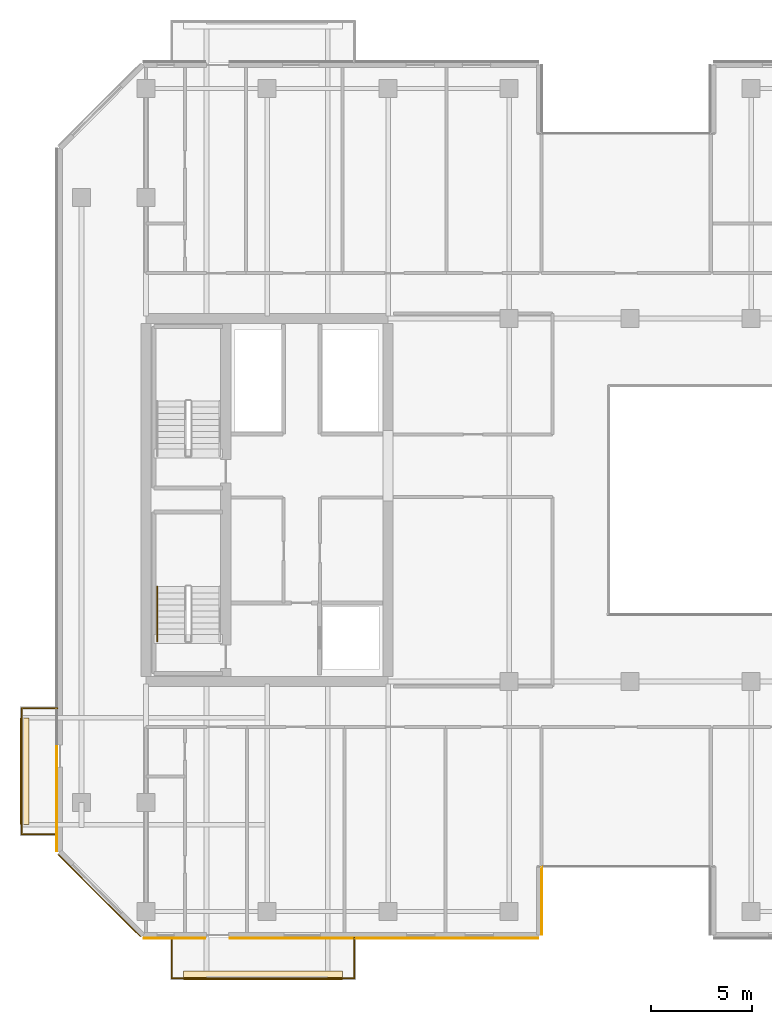
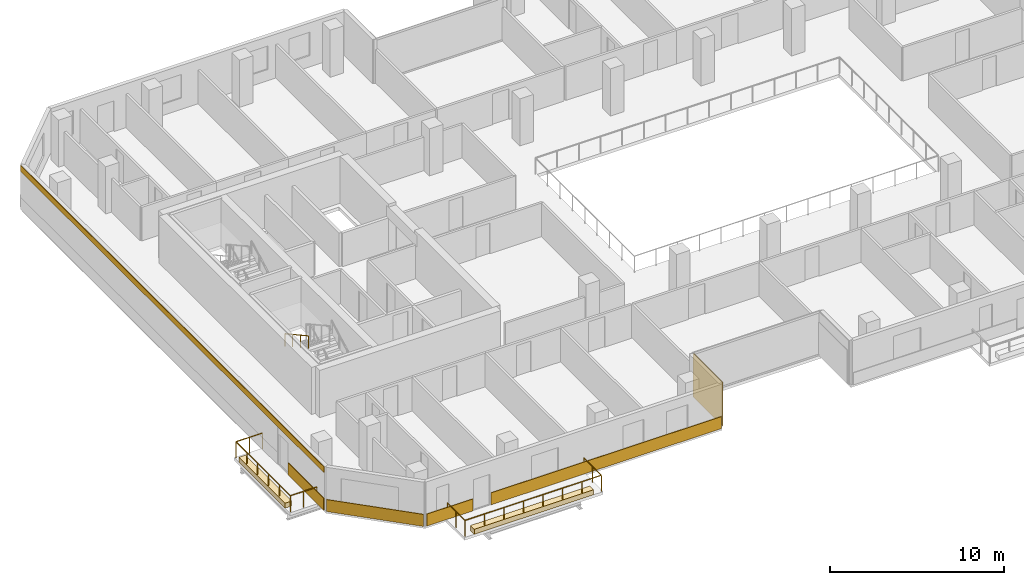
# One storey, part 16 of 19: 8 coverings, 3 railings.
"""IFC4 building model written with IfcOpenShell, lengths in metres."""

from ifc_helpers import new_model, si_unit, direction, frame, origin, origin_2d, place, context, subcontext, project, spatial, polyline, rectangle, outline, extrude, material, layer, layer_set, type_object, element, save


model = new_model("IFC4")

# Units and contexts
model_context = context("Model", 3, precision=1e-05, world=origin(), true_north=direction((0.0, 1.0)))
body_context = subcontext(model_context, "Body", "Model", "MODEL_VIEW")
ifc_project = project(units=[si_unit("LENGTHUNIT", "METRE"), si_unit("AREAUNIT", "SQUARE_METRE"), si_unit("VOLUMEUNIT", "CUBIC_METRE"), si_unit("PLANEANGLEUNIT", "RADIAN"), si_unit("MASSUNIT", "GRAM", prefix="KILO")], contexts=[model_context])

# Site, building, storey
site_placement = place(None, origin())
site = spatial("IfcSite", under=ifc_project, at=site_placement, CompositionType="ELEMENT")
building_placement = place(site_placement, origin())
building = spatial("IfcBuilding", under=site, at=building_placement, Name="Tanjung Sevakor Pilgrim Tower", CompositionType="ELEMENT")
storey_placement = place(building_placement, frame((0.0, 0.0, 132.0)))
storey = spatial("IfcBuildingStorey", under=building, at=storey_placement, Name="L36", CompositionType="ELEMENT", Elevation=132.0)

# Coverings
ifc_material_1 = material(Name="Reconstructed Limestone Cladding", Category="masonry")
ifc_layer_1 = layer(ifc_material_1, 0.044921875)
ifc_layer_set_1 = layer_set([ifc_layer_1], Name="COV-CLAD-LIMESTONE")
covering_type_1 = type_object("IfcCoveringType", Name="COV-CLAD-LIMESTONE", PredefinedType="CLADDING", material=ifc_layer_set_1)
covering_1_placement = place(storey_placement, frame((25.416015625, 11.87744140625, 0.009765625), z_axis=(0.0, 0.0, 1.0), x_axis=(1.0, 0.0, 0.0)))
element("IfcCovering", 1, at=covering_1_placement, inside=storey, type_object=covering_type_1, Name="L36 Warm Limestone Sill Spandrel EW-L36-MAIN-1-1", PredefinedType="CLADDING", context=body_context, shape_type="SweptSolid", body=[
    extrude(rectangle(XDim=3.048095703125, YDim=0.044921875, at=origin_2d()), origin(), (0.0, 0.0, 1.0), 0.840087890625),
])
covering_2_placement = place(storey_placement, frame((35.797607421875, 11.87744140625, 0.009765625), z_axis=(0.0, 0.0, 1.0), x_axis=(1.0, 0.0, 0.0)))
element("IfcCovering", 2, at=covering_2_placement, inside=storey, type_object=covering_type_1, Name="L36 Warm Limestone Sill Spandrel EW-L36-MAIN-1-2", PredefinedType="CLADDING", context=body_context, shape_type="SweptSolid", body=[
    extrude(rectangle(XDim=15.27490234375, YDim=0.044921875, at=origin_2d()), origin(), (0.0, 0.0, 1.0), 0.840087890625),
])
covering_3_placement = place(storey_placement, frame((43.62255859375, 13.72509765625, 0.02001953125), z_axis=(0.0, 0.0, 1.0), x_axis=(0.0, 1.0, 0.0)))
element("IfcCovering", 3, at=covering_3_placement, inside=storey, type_object=covering_type_1, Name="L36 Warm Limestone Wall Cladding EW-L36-MAIN-2", PredefinedType="CLADDING", context=body_context, shape_type="SweptSolid", body=[
    extrude(rectangle(XDim=3.360107421875, YDim=0.044921875, at=origin_2d()), origin(), (0.0, 0.0, 1.0), 3.0400390625),
])
covering_4_placement = place(storey_placement, frame((19.577392578125, 18.240966796875, 0.009765625), z_axis=(0.0, 0.0, 1.0), x_axis=(0.0, -1.0, 0.0)))
element("IfcCovering", 4, at=covering_4_placement, inside=storey, type_object=covering_type_1, Name="L36 Warm Limestone Sill Spandrel EW-L36-MAIN-15-2", PredefinedType="CLADDING", context=body_context, shape_type="SweptSolid", body=[
    extrude(rectangle(XDim=4.09814453125, YDim=0.044921875, at=origin_2d()), origin(), (0.0, 0.0, 1.0), 0.840087890625),
])
covering_5_placement = place(storey_placement, frame((19.577392578125, 33.60009765625, 2.66015625), z_axis=(0.0, 0.0, 1.0), x_axis=(0.0, -1.0, 0.0)))
element("IfcCovering", 5, at=covering_5_placement, inside=storey, type_object=covering_type_1, Name="L36 Warm Limestone Cornice Spandrel EW-L36-MAIN-15", PredefinedType="CLADDING", context=body_context, shape_type="SweptSolid", body=[
    extrude(rectangle(XDim=34.8564453125, YDim=0.044921875, at=origin_2d()), origin(), (0.0, 0.0, 1.0), 0.409912109375),
])
covering_6_placement = place(storey_placement, frame((21.68408203125, 13.984130859375, 0.009765625), z_axis=(0.0, 0.0, 1.0), x_axis=(0.707106781187, -0.707106781187, 0.0)))
element("IfcCovering", 6, at=covering_6_placement, inside=storey, type_object=covering_type_1, Name="L36 Warm Limestone Sill Spandrel EW-CHM-L36-MAIN-15-1", PredefinedType="CLADDING", context=body_context, shape_type="SweptSolid", body=[
    extrude(rectangle(XDim=5.756103515625, YDim=0.044921875, at=origin_2d()), origin(), (0.0, 0.0, 1.0), 0.840087890625),
])
ifc_material_2 = material(Name="Vegetated Modular Planter Assembly", Category="organic")
ifc_layer_2 = layer(ifc_material_2, 0.35009765625)
ifc_layer_set_2 = layer_set([ifc_layer_2], Name="COV-GRN-TROUGH")
covering_type_2 = type_object("IfcCoveringType", Name="COV-GRN-TROUGH", PredefinedType="CLADDING", material=ifc_layer_set_2)
covering_7_placement = place(storey_placement, origin())
element("IfcCovering", 7, at=covering_7_placement, inside=storey, type_object=covering_type_2, Name="L36 Planted Landscape Hedge Trough BGRN-L36-MAIN-S1", PredefinedType="CLADDING", context=body_context, shape_type="SweptSolid", body=[
    extrude(outline(polyline([(25.85009765625, 9.800048828125), (33.75, 9.800048828125), (33.75, 10.239990234375), (25.85009765625, 10.239990234375), (25.85009765625, 9.800048828125)])), origin(), (0.0, 0.0, 1.0), 0.35009765625),
])
covering_8_placement = place(storey_placement, origin())
element("IfcCovering", 8, at=covering_8_placement, inside=storey, type_object=covering_type_2, Name="L36 Planted Landscape Hedge Trough BGRN-L36-MAIN-W1", PredefinedType="CLADDING", context=body_context, shape_type="SweptSolid", body=[
    extrude(outline(polyline([(18.18994140625, 17.5), (18.18994140625, 22.800048828125), (17.75, 22.800048828125), (17.75, 17.5), (18.18994140625, 17.5)])), origin(), (0.0, 0.0, 1.0), 0.35009765625),
])

# Railings
ifc_material_3 = material(Name="Laminated Glass and Aluminium", Category="aluminium")
railing_type_1 = type_object("IfcRailingType", Name="RL-BAL-BALUST", PredefinedType="BALUSTRADE", material=ifc_material_3)
railing_1_placement = place(storey_placement, frame((25.280029296875, 11.89990234375, 0.0)))
element("IfcRailing", 9, at=railing_1_placement, inside=storey, type_object=railing_type_1, Name="L36 Loggia Balustrade MAIN-S1", PredefinedType="BALUSTRADE", context=body_context, shape_type="SweptSolid", body=[
    extrude(rectangle(XDim=0.0479, YDim=0.0479), frame((0.0, 0.0, 1.1259765625), z_axis=(0.0, -1.0, 0.0), x_axis=(1.0, 0.0, 0.0)), (0.0, 0.0, 1.0), 2.02001953125),
    extrude(rectangle(XDim=0.0479, YDim=0.0479), frame((0.0, -2.02001953125, 1.1259765625), z_axis=(1.0, 0.0, 0.0), x_axis=(0.0, 1.0, 0.0)), (0.0, 0.0, 1.0), 9.0400390625),
    extrude(rectangle(XDim=0.0479, YDim=0.0479), frame((9.0400390625, -2.02001953125, 1.1259765625), z_axis=(0.0, 1.0, 0.0), x_axis=(-1.0, 0.0, 0.0)), (0.0, 0.0, 1.0), 2.02001953125),
    extrude(rectangle(XDim=0.042, YDim=0.042), origin(), (0.0, 0.0, 1.0), 1.101806640625),
    extrude(rectangle(XDim=0.042, YDim=0.042), frame((0.0, -1.010009765625, 0.0)), (0.0, 0.0, 1.0), 1.101806640625),
    extrude(rectangle(XDim=0.042, YDim=0.042), frame((0.0, -2.02001953125, 0.0)), (0.0, 0.0, 1.0), 1.101806640625),
    extrude(rectangle(XDim=0.042, YDim=0.042), frame((1.29150390625, -2.02001953125, 0.0)), (0.0, 0.0, 1.0), 1.101806640625),
    extrude(rectangle(XDim=0.042, YDim=0.042), frame((2.582763671875, -2.02001953125, 0.0)), (0.0, 0.0, 1.0), 1.101806640625),
    extrude(rectangle(XDim=0.042, YDim=0.042), frame((3.874267578125, -2.02001953125, 0.0)), (0.0, 0.0, 1.0), 1.101806640625),
    extrude(rectangle(XDim=0.042, YDim=0.042), frame((5.165771484375, -2.02001953125, 0.0)), (0.0, 0.0, 1.0), 1.101806640625),
    extrude(rectangle(XDim=0.042, YDim=0.042), frame((6.457275390625, -2.02001953125, 0.0)), (0.0, 0.0, 1.0), 1.101806640625),
    extrude(rectangle(XDim=0.042, YDim=0.042), frame((7.74853515625, -2.02001953125, 0.0)), (0.0, 0.0, 1.0), 1.101806640625),
    extrude(rectangle(XDim=0.042, YDim=0.042), frame((9.0400390625, -2.02001953125, 0.0)), (0.0, 0.0, 1.0), 1.101806640625),
    extrude(rectangle(XDim=0.042, YDim=0.042), frame((9.0400390625, -1.010009765625, 0.0)), (0.0, 0.0, 1.0), 1.101806640625),
    extrude(rectangle(XDim=0.042, YDim=0.042), frame((9.0400390625, 0.0, 0.0)), (0.0, 0.0, 1.0), 1.101806640625),
])
railing_2_placement = place(storey_placement, frame((19.60009765625, 17.030029296875, 0.0)))
element("IfcRailing", 10, at=railing_2_placement, inside=storey, type_object=railing_type_1, Name="L36 Loggia Balustrade MAIN-W1", PredefinedType="BALUSTRADE", context=body_context, shape_type="SweptSolid", body=[
    extrude(rectangle(XDim=0.0479, YDim=0.0479), frame((0.0, 0.0, 1.1259765625), z_axis=(-1.0, 0.0, 0.0), x_axis=(0.0, -1.0, 0.0)), (0.0, 0.0, 1.0), 1.77001953125),
    extrude(rectangle(XDim=0.0479, YDim=0.0479), frame((-1.77001953125, 0.0, 1.1259765625), z_axis=(0.0, 1.0, 0.0), x_axis=(-1.0, 0.0, 0.0)), (0.0, 0.0, 1.0), 6.239990234375),
    extrude(rectangle(XDim=0.0479, YDim=0.0479), frame((-1.77001953125, 6.239990234375, 1.1259765625), z_axis=(1.0, 0.0, 0.0), x_axis=(0.0, 1.0, 0.0)), (0.0, 0.0, 1.0), 1.77001953125),
    extrude(rectangle(XDim=0.042, YDim=0.042), origin(), (0.0, 0.0, 1.0), 1.101806640625),
    extrude(rectangle(XDim=0.042, YDim=0.042), frame((-0.885009765625, 0.0, 0.0)), (0.0, 0.0, 1.0), 1.101806640625),
    extrude(rectangle(XDim=0.042, YDim=0.042), frame((-1.77001953125, 0.0, 0.0)), (0.0, 0.0, 1.0), 1.101806640625),
    extrude(rectangle(XDim=0.042, YDim=0.042), frame((-1.77001953125, 1.248046875, 0.0)), (0.0, 0.0, 1.0), 1.101806640625),
    extrude(rectangle(XDim=0.042, YDim=0.042), frame((-1.77001953125, 2.49609375, 0.0)), (0.0, 0.0, 1.0), 1.101806640625),
    extrude(rectangle(XDim=0.042, YDim=0.042), frame((-1.77001953125, 3.743896484375, 0.0)), (0.0, 0.0, 1.0), 1.101806640625),
    extrude(rectangle(XDim=0.042, YDim=0.042), frame((-1.77001953125, 4.991943359375, 0.0)), (0.0, 0.0, 1.0), 1.101806640625),
    extrude(rectangle(XDim=0.042, YDim=0.042), frame((-1.77001953125, 6.239990234375, 0.0)), (0.0, 0.0, 1.0), 1.101806640625),
    extrude(rectangle(XDim=0.042, YDim=0.042), frame((-0.885009765625, 6.239990234375, 0.0)), (0.0, 0.0, 1.0), 1.101806640625),
    extrude(rectangle(XDim=0.042, YDim=0.042), frame((0.0, 6.239990234375, 0.0)), (0.0, 0.0, 1.0), 1.101806640625),
])
ifc_material_4 = material(Name="Steel S355J2", Category="steel")
railing_type_2 = type_object("IfcRailingType", Name="RL-STAIR-HAND", PredefinedType="HANDRAIL", material=ifc_material_4)
railing_3_placement = place(storey_placement, frame((24.550048828125, 29.300048828125, 1.81494140625)))
element("IfcRailing", 11, at=railing_3_placement, inside=storey, type_object=railing_type_2, Name="L36 TS-W1 stair handrail 2", PredefinedType="HANDRAIL", context=body_context, shape_type="SweptSolid", body=[
    extrude(rectangle(XDim=0.0479, YDim=0.0479), frame((0.0, 0.0, 0.8759765625), z_axis=(0.0, -0.876197507361, 0.481952205197), x_axis=(1.0, 0.0, 0.0)), (0.0, 0.0, 1.0), 3.08154296875),
    extrude(rectangle(XDim=0.042, YDim=0.042), origin(), (0.0, 0.0, 1.0), 0.851806640625),
    extrude(rectangle(XDim=0.042, YDim=0.042), frame((0.0, -0.89990234375, 0.4951171875)), (0.0, 0.0, 1.0), 0.851806640625),
    extrude(rectangle(XDim=0.042, YDim=0.042), frame((0.0, -1.800048828125, 0.989990234375)), (0.0, 0.0, 1.0), 0.851806640625),
    extrude(rectangle(XDim=0.042, YDim=0.042), frame((0.0, -2.699951171875, 1.485107421875)), (0.0, 0.0, 1.0), 0.851806640625),
])

save(model, "model.ifc")
